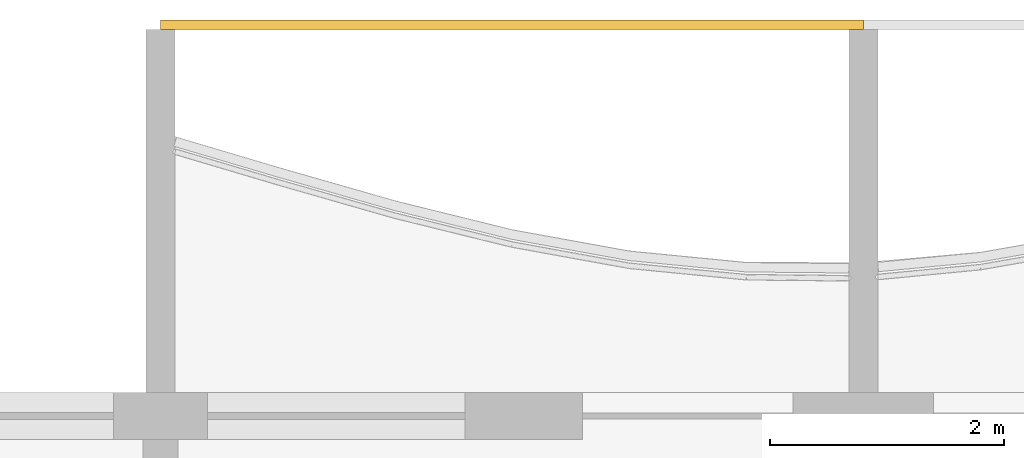
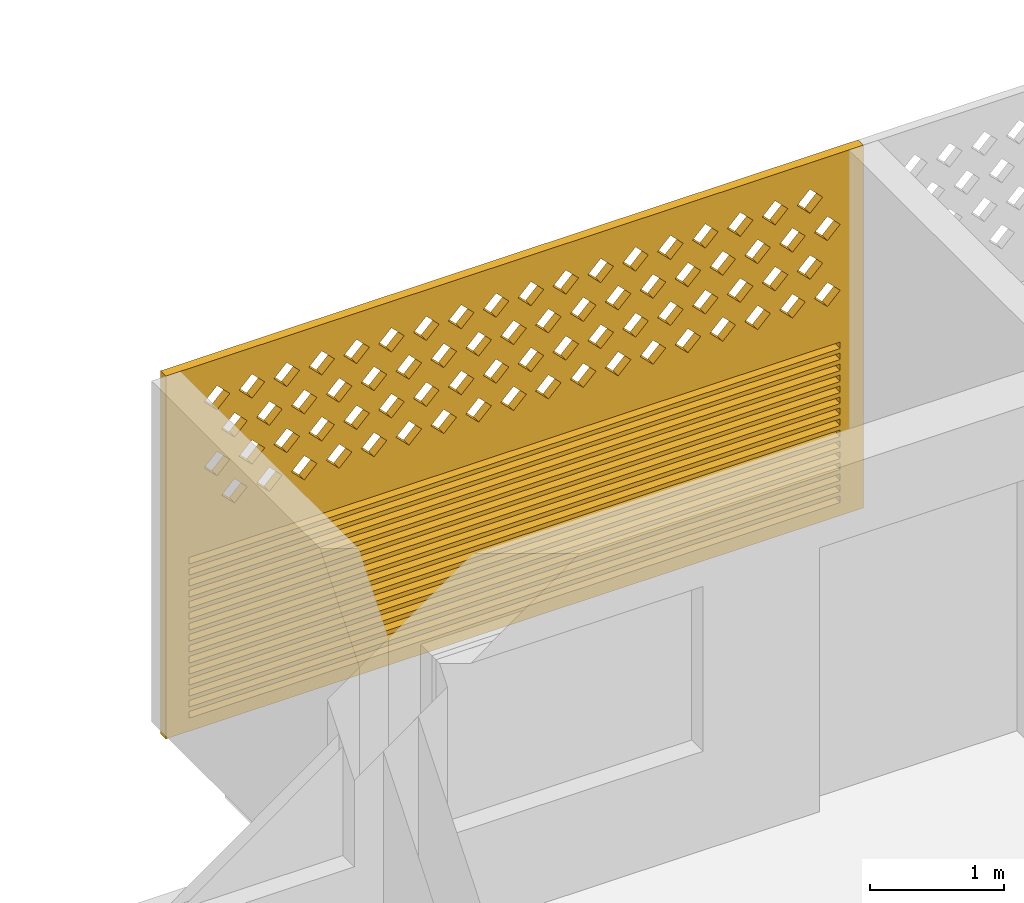
# One storey, part 28 of 32: 1 covering.
"""IFC4 building model written with IfcOpenShell, lengths in metres."""

from ifc_helpers import new_model, si_unit, direction, frame, origin, place, context, subcontext, project, spatial, polyline, outline, extrude, source, transform, mapped, material, material_profile, profile_set, type_object, element, save


model = new_model("IFC4")

# Units and contexts
model_context = context("Model", 3, precision=1e-05, world=origin(), true_north=direction((0.0, 1.0)))
body_context = subcontext(model_context, "Body", "Model", "MODEL_VIEW")
ifc_project = project(units=[si_unit("LENGTHUNIT", "METRE"), si_unit("AREAUNIT", "SQUARE_METRE"), si_unit("VOLUMEUNIT", "CUBIC_METRE"), si_unit("PLANEANGLEUNIT", "RADIAN"), si_unit("MASSUNIT", "GRAM", prefix="KILO")], contexts=[model_context])

# Site, building, storey
site_placement = place(None, origin())
site = spatial("IfcSite", under=ifc_project, at=site_placement, CompositionType="ELEMENT")
building_placement = place(site_placement, origin())
building = spatial("IfcBuilding", under=site, at=building_placement, Name="Poui Terraces", CompositionType="ELEMENT")
storey_placement = place(building_placement, frame((0.0, 0.0, 129.0)))
storey = spatial("IfcBuildingStorey", under=building, at=storey_placement, Name="L35", CompositionType="ELEMENT", Elevation=129.0)

# Covering
ifc_material = material(Name="Terracotta screen", Category="masonry")
ifc_material_profile = material_profile(ifc_material, outline(polyline([(-3.0, -1.64990234375), (3.0, -1.64990234375), (3.0, 1.64990234375), (-3.0, 1.64990234375), (-3.0, -1.64990234375)]), holes=[polyline([(-2.800048828125, 0.39990234375), (-2.68994140625, 0.2900390625), (-2.580078125, 0.39990234375), (-2.68994140625, 0.510009765625), (-2.800048828125, 0.39990234375)]), polyline([(-2.5, 0.39990234375), (-2.389892578125, 0.2900390625), (-2.280029296875, 0.39990234375), (-2.389892578125, 0.510009765625), (-2.5, 0.39990234375)]), polyline([(-2.199951171875, 0.39990234375), (-2.090087890625, 0.2900390625), (-1.97998046875, 0.39990234375), (-2.090087890625, 0.510009765625), (-2.199951171875, 0.39990234375)]), polyline([(-1.89990234375, 0.39990234375), (-1.7900390625, 0.2900390625), (-1.679931640625, 0.39990234375), (-1.7900390625, 0.510009765625), (-1.89990234375, 0.39990234375)]), polyline([(-1.60009765625, 0.39990234375), (-1.489990234375, 0.2900390625), (-1.3798828125, 0.39990234375), (-1.489990234375, 0.510009765625), (-1.60009765625, 0.39990234375)]), polyline([(-1.300048828125, 0.39990234375), (-1.18994140625, 0.2900390625), (-1.080078125, 0.39990234375), (-1.18994140625, 0.510009765625), (-1.300048828125, 0.39990234375)]), polyline([(-1.0, 0.39990234375), (-0.889892578125, 0.2900390625), (-0.780029296875, 0.39990234375), (-0.889892578125, 0.510009765625), (-1.0, 0.39990234375)]), polyline([(-0.699951171875, 0.39990234375), (-0.590087890625, 0.2900390625), (-0.47998046875, 0.39990234375), (-0.590087890625, 0.510009765625), (-0.699951171875, 0.39990234375)]), polyline([(-0.39990234375, 0.39990234375), (-0.2900390625, 0.2900390625), (-0.179931640625, 0.39990234375), (-0.2900390625, 0.510009765625), (-0.39990234375, 0.39990234375)]), polyline([(-0.10009765625, 0.39990234375), (0.010009765625, 0.2900390625), (0.1201171875, 0.39990234375), (0.010009765625, 0.510009765625), (-0.10009765625, 0.39990234375)]), polyline([(0.199951171875, 0.39990234375), (0.31005859375, 0.2900390625), (0.419921875, 0.39990234375), (0.31005859375, 0.510009765625), (0.199951171875, 0.39990234375)]), polyline([(0.5, 0.39990234375), (0.610107421875, 0.2900390625), (0.719970703125, 0.39990234375), (0.610107421875, 0.510009765625), (0.5, 0.39990234375)]), polyline([(0.800048828125, 0.39990234375), (0.909912109375, 0.2900390625), (1.02001953125, 0.39990234375), (0.909912109375, 0.510009765625), (0.800048828125, 0.39990234375)]), polyline([(1.10009765625, 0.39990234375), (1.2099609375, 0.2900390625), (1.320068359375, 0.39990234375), (1.2099609375, 0.510009765625), (1.10009765625, 0.39990234375)]), polyline([(1.39990234375, 0.39990234375), (1.510009765625, 0.2900390625), (1.6201171875, 0.39990234375), (1.510009765625, 0.510009765625), (1.39990234375, 0.39990234375)]), polyline([(1.699951171875, 0.39990234375), (1.81005859375, 0.2900390625), (1.919921875, 0.39990234375), (1.81005859375, 0.510009765625), (1.699951171875, 0.39990234375)]), polyline([(2.0, 0.39990234375), (2.110107421875, 0.2900390625), (2.219970703125, 0.39990234375), (2.110107421875, 0.510009765625), (2.0, 0.39990234375)]), polyline([(2.300048828125, 0.39990234375), (2.409912109375, 0.2900390625), (2.52001953125, 0.39990234375), (2.409912109375, 0.510009765625), (2.300048828125, 0.39990234375)]), polyline([(-2.64990234375, 0.699951171875), (-2.5400390625, 0.590087890625), (-2.429931640625, 0.699951171875), (-2.5400390625, 0.81005859375), (-2.64990234375, 0.699951171875)]), polyline([(-2.35009765625, 0.699951171875), (-2.239990234375, 0.590087890625), (-2.1298828125, 0.699951171875), (-2.239990234375, 0.81005859375), (-2.35009765625, 0.699951171875)]), polyline([(-2.050048828125, 0.699951171875), (-1.93994140625, 0.590087890625), (-1.830078125, 0.699951171875), (-1.93994140625, 0.81005859375), (-2.050048828125, 0.699951171875)]), polyline([(-1.75, 0.699951171875), (-1.639892578125, 0.590087890625), (-1.530029296875, 0.699951171875), (-1.639892578125, 0.81005859375), (-1.75, 0.699951171875)]), polyline([(-1.449951171875, 0.699951171875), (-1.340087890625, 0.590087890625), (-1.22998046875, 0.699951171875), (-1.340087890625, 0.81005859375), (-1.449951171875, 0.699951171875)]), polyline([(-1.14990234375, 0.699951171875), (-1.0400390625, 0.590087890625), (-0.929931640625, 0.699951171875), (-1.0400390625, 0.81005859375), (-1.14990234375, 0.699951171875)]), polyline([(-0.85009765625, 0.699951171875), (-0.739990234375, 0.590087890625), (-0.6298828125, 0.699951171875), (-0.739990234375, 0.81005859375), (-0.85009765625, 0.699951171875)]), polyline([(-0.550048828125, 0.699951171875), (-0.43994140625, 0.590087890625), (-0.330078125, 0.699951171875), (-0.43994140625, 0.81005859375), (-0.550048828125, 0.699951171875)]), polyline([(-0.25, 0.699951171875), (-0.139892578125, 0.590087890625), (-0.030029296875, 0.699951171875), (-0.139892578125, 0.81005859375), (-0.25, 0.699951171875)]), polyline([(0.050048828125, 0.699951171875), (0.159912109375, 0.590087890625), (0.27001953125, 0.699951171875), (0.159912109375, 0.81005859375), (0.050048828125, 0.699951171875)]), polyline([(0.35009765625, 0.699951171875), (0.4599609375, 0.590087890625), (0.570068359375, 0.699951171875), (0.4599609375, 0.81005859375), (0.35009765625, 0.699951171875)]), polyline([(0.64990234375, 0.699951171875), (0.760009765625, 0.590087890625), (0.8701171875, 0.699951171875), (0.760009765625, 0.81005859375), (0.64990234375, 0.699951171875)]), polyline([(0.949951171875, 0.699951171875), (1.06005859375, 0.590087890625), (1.169921875, 0.699951171875), (1.06005859375, 0.81005859375), (0.949951171875, 0.699951171875)]), polyline([(1.25, 0.699951171875), (1.360107421875, 0.590087890625), (1.469970703125, 0.699951171875), (1.360107421875, 0.81005859375), (1.25, 0.699951171875)]), polyline([(1.550048828125, 0.699951171875), (1.659912109375, 0.590087890625), (1.77001953125, 0.699951171875), (1.659912109375, 0.81005859375), (1.550048828125, 0.699951171875)]), polyline([(1.85009765625, 0.699951171875), (1.9599609375, 0.590087890625), (2.070068359375, 0.699951171875), (1.9599609375, 0.81005859375), (1.85009765625, 0.699951171875)]), polyline([(2.14990234375, 0.699951171875), (2.260009765625, 0.590087890625), (2.3701171875, 0.699951171875), (2.260009765625, 0.81005859375), (2.14990234375, 0.699951171875)]), polyline([(2.449951171875, 0.699951171875), (2.56005859375, 0.590087890625), (2.669921875, 0.699951171875), (2.56005859375, 0.81005859375), (2.449951171875, 0.699951171875)]), polyline([(-2.800048828125, 1.0), (-2.68994140625, 0.889892578125), (-2.580078125, 1.0), (-2.68994140625, 1.110107421875), (-2.800048828125, 1.0)]), polyline([(-2.5, 1.0), (-2.389892578125, 0.889892578125), (-2.280029296875, 1.0), (-2.389892578125, 1.110107421875), (-2.5, 1.0)]), polyline([(-2.199951171875, 1.0), (-2.090087890625, 0.889892578125), (-1.97998046875, 1.0), (-2.090087890625, 1.110107421875), (-2.199951171875, 1.0)]), polyline([(-1.89990234375, 1.0), (-1.7900390625, 0.889892578125), (-1.679931640625, 1.0), (-1.7900390625, 1.110107421875), (-1.89990234375, 1.0)]), polyline([(-1.60009765625, 1.0), (-1.489990234375, 0.889892578125), (-1.3798828125, 1.0), (-1.489990234375, 1.110107421875), (-1.60009765625, 1.0)]), polyline([(-1.300048828125, 1.0), (-1.18994140625, 0.889892578125), (-1.080078125, 1.0), (-1.18994140625, 1.110107421875), (-1.300048828125, 1.0)]), polyline([(-1.0, 1.0), (-0.889892578125, 0.889892578125), (-0.780029296875, 1.0), (-0.889892578125, 1.110107421875), (-1.0, 1.0)]), polyline([(-0.699951171875, 1.0), (-0.590087890625, 0.889892578125), (-0.47998046875, 1.0), (-0.590087890625, 1.110107421875), (-0.699951171875, 1.0)]), polyline([(-0.39990234375, 1.0), (-0.2900390625, 0.889892578125), (-0.179931640625, 1.0), (-0.2900390625, 1.110107421875), (-0.39990234375, 1.0)]), polyline([(-0.10009765625, 1.0), (0.010009765625, 0.889892578125), (0.1201171875, 1.0), (0.010009765625, 1.110107421875), (-0.10009765625, 1.0)]), polyline([(0.199951171875, 1.0), (0.31005859375, 0.889892578125), (0.419921875, 1.0), (0.31005859375, 1.110107421875), (0.199951171875, 1.0)]), polyline([(0.5, 1.0), (0.610107421875, 0.889892578125), (0.719970703125, 1.0), (0.610107421875, 1.110107421875), (0.5, 1.0)]), polyline([(0.800048828125, 1.0), (0.909912109375, 0.889892578125), (1.02001953125, 1.0), (0.909912109375, 1.110107421875), (0.800048828125, 1.0)]), polyline([(1.10009765625, 1.0), (1.2099609375, 0.889892578125), (1.320068359375, 1.0), (1.2099609375, 1.110107421875), (1.10009765625, 1.0)]), polyline([(1.39990234375, 1.0), (1.510009765625, 0.889892578125), (1.6201171875, 1.0), (1.510009765625, 1.110107421875), (1.39990234375, 1.0)]), polyline([(1.699951171875, 1.0), (1.81005859375, 0.889892578125), (1.919921875, 1.0), (1.81005859375, 1.110107421875), (1.699951171875, 1.0)]), polyline([(2.0, 1.0), (2.110107421875, 0.889892578125), (2.219970703125, 1.0), (2.110107421875, 1.110107421875), (2.0, 1.0)]), polyline([(2.300048828125, 1.0), (2.409912109375, 0.889892578125), (2.52001953125, 1.0), (2.409912109375, 1.110107421875), (2.300048828125, 1.0)]), polyline([(-2.64990234375, 1.300048828125), (-2.5400390625, 1.18994140625), (-2.429931640625, 1.300048828125), (-2.5400390625, 1.409912109375), (-2.64990234375, 1.300048828125)]), polyline([(-2.35009765625, 1.300048828125), (-2.239990234375, 1.18994140625), (-2.1298828125, 1.300048828125), (-2.239990234375, 1.409912109375), (-2.35009765625, 1.300048828125)]), polyline([(-2.050048828125, 1.300048828125), (-1.93994140625, 1.18994140625), (-1.830078125, 1.300048828125), (-1.93994140625, 1.409912109375), (-2.050048828125, 1.300048828125)]), polyline([(-1.75, 1.300048828125), (-1.639892578125, 1.18994140625), (-1.530029296875, 1.300048828125), (-1.639892578125, 1.409912109375), (-1.75, 1.300048828125)]), polyline([(-1.449951171875, 1.300048828125), (-1.340087890625, 1.18994140625), (-1.22998046875, 1.300048828125), (-1.340087890625, 1.409912109375), (-1.449951171875, 1.300048828125)]), polyline([(-1.14990234375, 1.300048828125), (-1.0400390625, 1.18994140625), (-0.929931640625, 1.300048828125), (-1.0400390625, 1.409912109375), (-1.14990234375, 1.300048828125)]), polyline([(-0.85009765625, 1.300048828125), (-0.739990234375, 1.18994140625), (-0.6298828125, 1.300048828125), (-0.739990234375, 1.409912109375), (-0.85009765625, 1.300048828125)]), polyline([(-0.550048828125, 1.300048828125), (-0.43994140625, 1.18994140625), (-0.330078125, 1.300048828125), (-0.43994140625, 1.409912109375), (-0.550048828125, 1.300048828125)]), polyline([(-0.25, 1.300048828125), (-0.139892578125, 1.18994140625), (-0.030029296875, 1.300048828125), (-0.139892578125, 1.409912109375), (-0.25, 1.300048828125)]), polyline([(0.050048828125, 1.300048828125), (0.159912109375, 1.18994140625), (0.27001953125, 1.300048828125), (0.159912109375, 1.409912109375), (0.050048828125, 1.300048828125)]), polyline([(0.35009765625, 1.300048828125), (0.4599609375, 1.18994140625), (0.570068359375, 1.300048828125), (0.4599609375, 1.409912109375), (0.35009765625, 1.300048828125)]), polyline([(0.64990234375, 1.300048828125), (0.760009765625, 1.18994140625), (0.8701171875, 1.300048828125), (0.760009765625, 1.409912109375), (0.64990234375, 1.300048828125)]), polyline([(0.949951171875, 1.300048828125), (1.06005859375, 1.18994140625), (1.169921875, 1.300048828125), (1.06005859375, 1.409912109375), (0.949951171875, 1.300048828125)]), polyline([(1.25, 1.300048828125), (1.360107421875, 1.18994140625), (1.469970703125, 1.300048828125), (1.360107421875, 1.409912109375), (1.25, 1.300048828125)]), polyline([(1.550048828125, 1.300048828125), (1.659912109375, 1.18994140625), (1.77001953125, 1.300048828125), (1.659912109375, 1.409912109375), (1.550048828125, 1.300048828125)]), polyline([(1.85009765625, 1.300048828125), (1.9599609375, 1.18994140625), (2.070068359375, 1.300048828125), (1.9599609375, 1.409912109375), (1.85009765625, 1.300048828125)]), polyline([(2.14990234375, 1.300048828125), (2.260009765625, 1.18994140625), (2.3701171875, 1.300048828125), (2.260009765625, 1.409912109375), (2.14990234375, 1.300048828125)]), polyline([(2.449951171875, 1.300048828125), (2.56005859375, 1.18994140625), (2.669921875, 1.300048828125), (2.56005859375, 1.409912109375), (2.449951171875, 1.300048828125)]), polyline([(-2.800048828125, -1.530029296875), (2.800048828125, -1.530029296875), (2.800048828125, -1.469970703125), (-2.800048828125, -1.469970703125), (-2.800048828125, -1.530029296875)]), polyline([(-2.800048828125, -1.429931640625), (2.800048828125, -1.429931640625), (2.800048828125, -1.3701171875), (-2.800048828125, -1.3701171875), (-2.800048828125, -1.429931640625)]), polyline([(-2.800048828125, -1.330078125), (2.800048828125, -1.330078125), (2.800048828125, -1.27001953125), (-2.800048828125, -1.27001953125), (-2.800048828125, -1.330078125)]), polyline([(-2.800048828125, -1.22998046875), (2.800048828125, -1.22998046875), (2.800048828125, -1.169921875), (-2.800048828125, -1.169921875), (-2.800048828125, -1.22998046875)]), polyline([(-2.800048828125, -1.1298828125), (2.800048828125, -1.1298828125), (2.800048828125, -1.070068359375), (-2.800048828125, -1.070068359375), (-2.800048828125, -1.1298828125)]), polyline([(-2.800048828125, -1.030029296875), (2.800048828125, -1.030029296875), (2.800048828125, -0.969970703125), (-2.800048828125, -0.969970703125), (-2.800048828125, -1.030029296875)]), polyline([(-2.800048828125, -0.929931640625), (2.800048828125, -0.929931640625), (2.800048828125, -0.8701171875), (-2.800048828125, -0.8701171875), (-2.800048828125, -0.929931640625)]), polyline([(-2.800048828125, -0.830078125), (2.800048828125, -0.830078125), (2.800048828125, -0.77001953125), (-2.800048828125, -0.77001953125), (-2.800048828125, -0.830078125)]), polyline([(-2.800048828125, -0.72998046875), (2.800048828125, -0.72998046875), (2.800048828125, -0.669921875), (-2.800048828125, -0.669921875), (-2.800048828125, -0.72998046875)]), polyline([(-2.800048828125, -0.6298828125), (2.800048828125, -0.6298828125), (2.800048828125, -0.570068359375), (-2.800048828125, -0.570068359375), (-2.800048828125, -0.6298828125)]), polyline([(-2.800048828125, -0.530029296875), (2.800048828125, -0.530029296875), (2.800048828125, -0.469970703125), (-2.800048828125, -0.469970703125), (-2.800048828125, -0.530029296875)]), polyline([(-2.800048828125, -0.429931640625), (2.800048828125, -0.429931640625), (2.800048828125, -0.3701171875), (-2.800048828125, -0.3701171875), (-2.800048828125, -0.429931640625)]), polyline([(-2.800048828125, -0.330078125), (2.800048828125, -0.330078125), (2.800048828125, -0.27001953125), (-2.800048828125, -0.27001953125), (-2.800048828125, -0.330078125)]), polyline([(-2.800048828125, -0.22998046875), (2.800048828125, -0.22998046875), (2.800048828125, -0.169921875), (-2.800048828125, -0.169921875), (-2.800048828125, -0.22998046875)]), polyline([(-2.800048828125, -0.1298828125), (2.800048828125, -0.1298828125), (2.800048828125, -0.070068359375), (-2.800048828125, -0.070068359375), (-2.800048828125, -0.1298828125)])]), Name="TERRACOTTA SCREEN AND JALOUSIE LOUVRE 6000X3300")
ifc_profile_set = profile_set([ifc_material_profile], Name="Terracotta screen")
covering_type = type_object("IfcCoveringType", Name="TERRACOTTA SCREEN AND JALOUSIE LOUVRE 6000X3300", PredefinedType="CLADDING", material=ifc_profile_set)
shared_shape = source(origin(), body_context, "Body", "SweptSolid", [
    extrude(outline(polyline([(-3.0, -1.64990234375), (3.0, -1.64990234375), (3.0, 1.64990234375), (-3.0, 1.64990234375), (-3.0, -1.64990234375)]), holes=[polyline([(-2.800048828125, 0.39990234375), (-2.68994140625, 0.2900390625), (-2.580078125, 0.39990234375), (-2.68994140625, 0.510009765625), (-2.800048828125, 0.39990234375)]), polyline([(-2.5, 0.39990234375), (-2.389892578125, 0.2900390625), (-2.280029296875, 0.39990234375), (-2.389892578125, 0.510009765625), (-2.5, 0.39990234375)]), polyline([(-2.199951171875, 0.39990234375), (-2.090087890625, 0.2900390625), (-1.97998046875, 0.39990234375), (-2.090087890625, 0.510009765625), (-2.199951171875, 0.39990234375)]), polyline([(-1.89990234375, 0.39990234375), (-1.7900390625, 0.2900390625), (-1.679931640625, 0.39990234375), (-1.7900390625, 0.510009765625), (-1.89990234375, 0.39990234375)]), polyline([(-1.60009765625, 0.39990234375), (-1.489990234375, 0.2900390625), (-1.3798828125, 0.39990234375), (-1.489990234375, 0.510009765625), (-1.60009765625, 0.39990234375)]), polyline([(-1.300048828125, 0.39990234375), (-1.18994140625, 0.2900390625), (-1.080078125, 0.39990234375), (-1.18994140625, 0.510009765625), (-1.300048828125, 0.39990234375)]), polyline([(-1.0, 0.39990234375), (-0.889892578125, 0.2900390625), (-0.780029296875, 0.39990234375), (-0.889892578125, 0.510009765625), (-1.0, 0.39990234375)]), polyline([(-0.699951171875, 0.39990234375), (-0.590087890625, 0.2900390625), (-0.47998046875, 0.39990234375), (-0.590087890625, 0.510009765625), (-0.699951171875, 0.39990234375)]), polyline([(-0.39990234375, 0.39990234375), (-0.2900390625, 0.2900390625), (-0.179931640625, 0.39990234375), (-0.2900390625, 0.510009765625), (-0.39990234375, 0.39990234375)]), polyline([(-0.10009765625, 0.39990234375), (0.010009765625, 0.2900390625), (0.1201171875, 0.39990234375), (0.010009765625, 0.510009765625), (-0.10009765625, 0.39990234375)]), polyline([(0.199951171875, 0.39990234375), (0.31005859375, 0.2900390625), (0.419921875, 0.39990234375), (0.31005859375, 0.510009765625), (0.199951171875, 0.39990234375)]), polyline([(0.5, 0.39990234375), (0.610107421875, 0.2900390625), (0.719970703125, 0.39990234375), (0.610107421875, 0.510009765625), (0.5, 0.39990234375)]), polyline([(0.800048828125, 0.39990234375), (0.909912109375, 0.2900390625), (1.02001953125, 0.39990234375), (0.909912109375, 0.510009765625), (0.800048828125, 0.39990234375)]), polyline([(1.10009765625, 0.39990234375), (1.2099609375, 0.2900390625), (1.320068359375, 0.39990234375), (1.2099609375, 0.510009765625), (1.10009765625, 0.39990234375)]), polyline([(1.39990234375, 0.39990234375), (1.510009765625, 0.2900390625), (1.6201171875, 0.39990234375), (1.510009765625, 0.510009765625), (1.39990234375, 0.39990234375)]), polyline([(1.699951171875, 0.39990234375), (1.81005859375, 0.2900390625), (1.919921875, 0.39990234375), (1.81005859375, 0.510009765625), (1.699951171875, 0.39990234375)]), polyline([(2.0, 0.39990234375), (2.110107421875, 0.2900390625), (2.219970703125, 0.39990234375), (2.110107421875, 0.510009765625), (2.0, 0.39990234375)]), polyline([(2.300048828125, 0.39990234375), (2.409912109375, 0.2900390625), (2.52001953125, 0.39990234375), (2.409912109375, 0.510009765625), (2.300048828125, 0.39990234375)]), polyline([(-2.64990234375, 0.699951171875), (-2.5400390625, 0.590087890625), (-2.429931640625, 0.699951171875), (-2.5400390625, 0.81005859375), (-2.64990234375, 0.699951171875)]), polyline([(-2.35009765625, 0.699951171875), (-2.239990234375, 0.590087890625), (-2.1298828125, 0.699951171875), (-2.239990234375, 0.81005859375), (-2.35009765625, 0.699951171875)]), polyline([(-2.050048828125, 0.699951171875), (-1.93994140625, 0.590087890625), (-1.830078125, 0.699951171875), (-1.93994140625, 0.81005859375), (-2.050048828125, 0.699951171875)]), polyline([(-1.75, 0.699951171875), (-1.639892578125, 0.590087890625), (-1.530029296875, 0.699951171875), (-1.639892578125, 0.81005859375), (-1.75, 0.699951171875)]), polyline([(-1.449951171875, 0.699951171875), (-1.340087890625, 0.590087890625), (-1.22998046875, 0.699951171875), (-1.340087890625, 0.81005859375), (-1.449951171875, 0.699951171875)]), polyline([(-1.14990234375, 0.699951171875), (-1.0400390625, 0.590087890625), (-0.929931640625, 0.699951171875), (-1.0400390625, 0.81005859375), (-1.14990234375, 0.699951171875)]), polyline([(-0.85009765625, 0.699951171875), (-0.739990234375, 0.590087890625), (-0.6298828125, 0.699951171875), (-0.739990234375, 0.81005859375), (-0.85009765625, 0.699951171875)]), polyline([(-0.550048828125, 0.699951171875), (-0.43994140625, 0.590087890625), (-0.330078125, 0.699951171875), (-0.43994140625, 0.81005859375), (-0.550048828125, 0.699951171875)]), polyline([(-0.25, 0.699951171875), (-0.139892578125, 0.590087890625), (-0.030029296875, 0.699951171875), (-0.139892578125, 0.81005859375), (-0.25, 0.699951171875)]), polyline([(0.050048828125, 0.699951171875), (0.159912109375, 0.590087890625), (0.27001953125, 0.699951171875), (0.159912109375, 0.81005859375), (0.050048828125, 0.699951171875)]), polyline([(0.35009765625, 0.699951171875), (0.4599609375, 0.590087890625), (0.570068359375, 0.699951171875), (0.4599609375, 0.81005859375), (0.35009765625, 0.699951171875)]), polyline([(0.64990234375, 0.699951171875), (0.760009765625, 0.590087890625), (0.8701171875, 0.699951171875), (0.760009765625, 0.81005859375), (0.64990234375, 0.699951171875)]), polyline([(0.949951171875, 0.699951171875), (1.06005859375, 0.590087890625), (1.169921875, 0.699951171875), (1.06005859375, 0.81005859375), (0.949951171875, 0.699951171875)]), polyline([(1.25, 0.699951171875), (1.360107421875, 0.590087890625), (1.469970703125, 0.699951171875), (1.360107421875, 0.81005859375), (1.25, 0.699951171875)]), polyline([(1.550048828125, 0.699951171875), (1.659912109375, 0.590087890625), (1.77001953125, 0.699951171875), (1.659912109375, 0.81005859375), (1.550048828125, 0.699951171875)]), polyline([(1.85009765625, 0.699951171875), (1.9599609375, 0.590087890625), (2.070068359375, 0.699951171875), (1.9599609375, 0.81005859375), (1.85009765625, 0.699951171875)]), polyline([(2.14990234375, 0.699951171875), (2.260009765625, 0.590087890625), (2.3701171875, 0.699951171875), (2.260009765625, 0.81005859375), (2.14990234375, 0.699951171875)]), polyline([(2.449951171875, 0.699951171875), (2.56005859375, 0.590087890625), (2.669921875, 0.699951171875), (2.56005859375, 0.81005859375), (2.449951171875, 0.699951171875)]), polyline([(-2.800048828125, 1.0), (-2.68994140625, 0.889892578125), (-2.580078125, 1.0), (-2.68994140625, 1.110107421875), (-2.800048828125, 1.0)]), polyline([(-2.5, 1.0), (-2.389892578125, 0.889892578125), (-2.280029296875, 1.0), (-2.389892578125, 1.110107421875), (-2.5, 1.0)]), polyline([(-2.199951171875, 1.0), (-2.090087890625, 0.889892578125), (-1.97998046875, 1.0), (-2.090087890625, 1.110107421875), (-2.199951171875, 1.0)]), polyline([(-1.89990234375, 1.0), (-1.7900390625, 0.889892578125), (-1.679931640625, 1.0), (-1.7900390625, 1.110107421875), (-1.89990234375, 1.0)]), polyline([(-1.60009765625, 1.0), (-1.489990234375, 0.889892578125), (-1.3798828125, 1.0), (-1.489990234375, 1.110107421875), (-1.60009765625, 1.0)]), polyline([(-1.300048828125, 1.0), (-1.18994140625, 0.889892578125), (-1.080078125, 1.0), (-1.18994140625, 1.110107421875), (-1.300048828125, 1.0)]), polyline([(-1.0, 1.0), (-0.889892578125, 0.889892578125), (-0.780029296875, 1.0), (-0.889892578125, 1.110107421875), (-1.0, 1.0)]), polyline([(-0.699951171875, 1.0), (-0.590087890625, 0.889892578125), (-0.47998046875, 1.0), (-0.590087890625, 1.110107421875), (-0.699951171875, 1.0)]), polyline([(-0.39990234375, 1.0), (-0.2900390625, 0.889892578125), (-0.179931640625, 1.0), (-0.2900390625, 1.110107421875), (-0.39990234375, 1.0)]), polyline([(-0.10009765625, 1.0), (0.010009765625, 0.889892578125), (0.1201171875, 1.0), (0.010009765625, 1.110107421875), (-0.10009765625, 1.0)]), polyline([(0.199951171875, 1.0), (0.31005859375, 0.889892578125), (0.419921875, 1.0), (0.31005859375, 1.110107421875), (0.199951171875, 1.0)]), polyline([(0.5, 1.0), (0.610107421875, 0.889892578125), (0.719970703125, 1.0), (0.610107421875, 1.110107421875), (0.5, 1.0)]), polyline([(0.800048828125, 1.0), (0.909912109375, 0.889892578125), (1.02001953125, 1.0), (0.909912109375, 1.110107421875), (0.800048828125, 1.0)]), polyline([(1.10009765625, 1.0), (1.2099609375, 0.889892578125), (1.320068359375, 1.0), (1.2099609375, 1.110107421875), (1.10009765625, 1.0)]), polyline([(1.39990234375, 1.0), (1.510009765625, 0.889892578125), (1.6201171875, 1.0), (1.510009765625, 1.110107421875), (1.39990234375, 1.0)]), polyline([(1.699951171875, 1.0), (1.81005859375, 0.889892578125), (1.919921875, 1.0), (1.81005859375, 1.110107421875), (1.699951171875, 1.0)]), polyline([(2.0, 1.0), (2.110107421875, 0.889892578125), (2.219970703125, 1.0), (2.110107421875, 1.110107421875), (2.0, 1.0)]), polyline([(2.300048828125, 1.0), (2.409912109375, 0.889892578125), (2.52001953125, 1.0), (2.409912109375, 1.110107421875), (2.300048828125, 1.0)]), polyline([(-2.64990234375, 1.300048828125), (-2.5400390625, 1.18994140625), (-2.429931640625, 1.300048828125), (-2.5400390625, 1.409912109375), (-2.64990234375, 1.300048828125)]), polyline([(-2.35009765625, 1.300048828125), (-2.239990234375, 1.18994140625), (-2.1298828125, 1.300048828125), (-2.239990234375, 1.409912109375), (-2.35009765625, 1.300048828125)]), polyline([(-2.050048828125, 1.300048828125), (-1.93994140625, 1.18994140625), (-1.830078125, 1.300048828125), (-1.93994140625, 1.409912109375), (-2.050048828125, 1.300048828125)]), polyline([(-1.75, 1.300048828125), (-1.639892578125, 1.18994140625), (-1.530029296875, 1.300048828125), (-1.639892578125, 1.409912109375), (-1.75, 1.300048828125)]), polyline([(-1.449951171875, 1.300048828125), (-1.340087890625, 1.18994140625), (-1.22998046875, 1.300048828125), (-1.340087890625, 1.409912109375), (-1.449951171875, 1.300048828125)]), polyline([(-1.14990234375, 1.300048828125), (-1.0400390625, 1.18994140625), (-0.929931640625, 1.300048828125), (-1.0400390625, 1.409912109375), (-1.14990234375, 1.300048828125)]), polyline([(-0.85009765625, 1.300048828125), (-0.739990234375, 1.18994140625), (-0.6298828125, 1.300048828125), (-0.739990234375, 1.409912109375), (-0.85009765625, 1.300048828125)]), polyline([(-0.550048828125, 1.300048828125), (-0.43994140625, 1.18994140625), (-0.330078125, 1.300048828125), (-0.43994140625, 1.409912109375), (-0.550048828125, 1.300048828125)]), polyline([(-0.25, 1.300048828125), (-0.139892578125, 1.18994140625), (-0.030029296875, 1.300048828125), (-0.139892578125, 1.409912109375), (-0.25, 1.300048828125)]), polyline([(0.050048828125, 1.300048828125), (0.159912109375, 1.18994140625), (0.27001953125, 1.300048828125), (0.159912109375, 1.409912109375), (0.050048828125, 1.300048828125)]), polyline([(0.35009765625, 1.300048828125), (0.4599609375, 1.18994140625), (0.570068359375, 1.300048828125), (0.4599609375, 1.409912109375), (0.35009765625, 1.300048828125)]), polyline([(0.64990234375, 1.300048828125), (0.760009765625, 1.18994140625), (0.8701171875, 1.300048828125), (0.760009765625, 1.409912109375), (0.64990234375, 1.300048828125)]), polyline([(0.949951171875, 1.300048828125), (1.06005859375, 1.18994140625), (1.169921875, 1.300048828125), (1.06005859375, 1.409912109375), (0.949951171875, 1.300048828125)]), polyline([(1.25, 1.300048828125), (1.360107421875, 1.18994140625), (1.469970703125, 1.300048828125), (1.360107421875, 1.409912109375), (1.25, 1.300048828125)]), polyline([(1.550048828125, 1.300048828125), (1.659912109375, 1.18994140625), (1.77001953125, 1.300048828125), (1.659912109375, 1.409912109375), (1.550048828125, 1.300048828125)]), polyline([(1.85009765625, 1.300048828125), (1.9599609375, 1.18994140625), (2.070068359375, 1.300048828125), (1.9599609375, 1.409912109375), (1.85009765625, 1.300048828125)]), polyline([(2.14990234375, 1.300048828125), (2.260009765625, 1.18994140625), (2.3701171875, 1.300048828125), (2.260009765625, 1.409912109375), (2.14990234375, 1.300048828125)]), polyline([(2.449951171875, 1.300048828125), (2.56005859375, 1.18994140625), (2.669921875, 1.300048828125), (2.56005859375, 1.409912109375), (2.449951171875, 1.300048828125)]), polyline([(-2.800048828125, -1.530029296875), (2.800048828125, -1.530029296875), (2.800048828125, -1.469970703125), (-2.800048828125, -1.469970703125), (-2.800048828125, -1.530029296875)]), polyline([(-2.800048828125, -1.429931640625), (2.800048828125, -1.429931640625), (2.800048828125, -1.3701171875), (-2.800048828125, -1.3701171875), (-2.800048828125, -1.429931640625)]), polyline([(-2.800048828125, -1.330078125), (2.800048828125, -1.330078125), (2.800048828125, -1.27001953125), (-2.800048828125, -1.27001953125), (-2.800048828125, -1.330078125)]), polyline([(-2.800048828125, -1.22998046875), (2.800048828125, -1.22998046875), (2.800048828125, -1.169921875), (-2.800048828125, -1.169921875), (-2.800048828125, -1.22998046875)]), polyline([(-2.800048828125, -1.1298828125), (2.800048828125, -1.1298828125), (2.800048828125, -1.070068359375), (-2.800048828125, -1.070068359375), (-2.800048828125, -1.1298828125)]), polyline([(-2.800048828125, -1.030029296875), (2.800048828125, -1.030029296875), (2.800048828125, -0.969970703125), (-2.800048828125, -0.969970703125), (-2.800048828125, -1.030029296875)]), polyline([(-2.800048828125, -0.929931640625), (2.800048828125, -0.929931640625), (2.800048828125, -0.8701171875), (-2.800048828125, -0.8701171875), (-2.800048828125, -0.929931640625)]), polyline([(-2.800048828125, -0.830078125), (2.800048828125, -0.830078125), (2.800048828125, -0.77001953125), (-2.800048828125, -0.77001953125), (-2.800048828125, -0.830078125)]), polyline([(-2.800048828125, -0.72998046875), (2.800048828125, -0.72998046875), (2.800048828125, -0.669921875), (-2.800048828125, -0.669921875), (-2.800048828125, -0.72998046875)]), polyline([(-2.800048828125, -0.6298828125), (2.800048828125, -0.6298828125), (2.800048828125, -0.570068359375), (-2.800048828125, -0.570068359375), (-2.800048828125, -0.6298828125)]), polyline([(-2.800048828125, -0.530029296875), (2.800048828125, -0.530029296875), (2.800048828125, -0.469970703125), (-2.800048828125, -0.469970703125), (-2.800048828125, -0.530029296875)]), polyline([(-2.800048828125, -0.429931640625), (2.800048828125, -0.429931640625), (2.800048828125, -0.3701171875), (-2.800048828125, -0.3701171875), (-2.800048828125, -0.429931640625)]), polyline([(-2.800048828125, -0.330078125), (2.800048828125, -0.330078125), (2.800048828125, -0.27001953125), (-2.800048828125, -0.27001953125), (-2.800048828125, -0.330078125)]), polyline([(-2.800048828125, -0.22998046875), (2.800048828125, -0.22998046875), (2.800048828125, -0.169921875), (-2.800048828125, -0.169921875), (-2.800048828125, -0.22998046875)]), polyline([(-2.800048828125, -0.1298828125), (2.800048828125, -0.1298828125), (2.800048828125, -0.070068359375), (-2.800048828125, -0.070068359375), (-2.800048828125, -0.1298828125)])]), origin(), (0.0, 0.0, 1.0), 0.080078125),
])
covering_placement = place(storey_placement, frame((63.0, 45.699951171875, 1.449951171875), z_axis=(0.0, 1.0, 0.0), x_axis=(-1.0, 0.0, 0.0)))
element("IfcCovering", 1, at=covering_placement, inside=storey, type_object=covering_type, Name="SOLAR SCREEN AND JALOUSIE LOUVRE", PredefinedType="CLADDING", context=body_context, shape_type="MappedRepresentation", body=[
    mapped(shared_shape, transform((0.0, 0.0, 0.0))),
])

save(model, "model.ifc")
